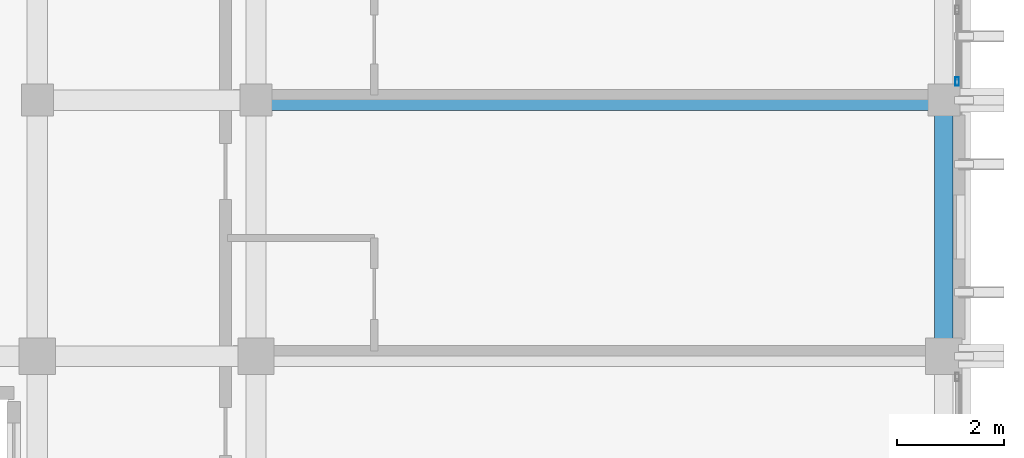
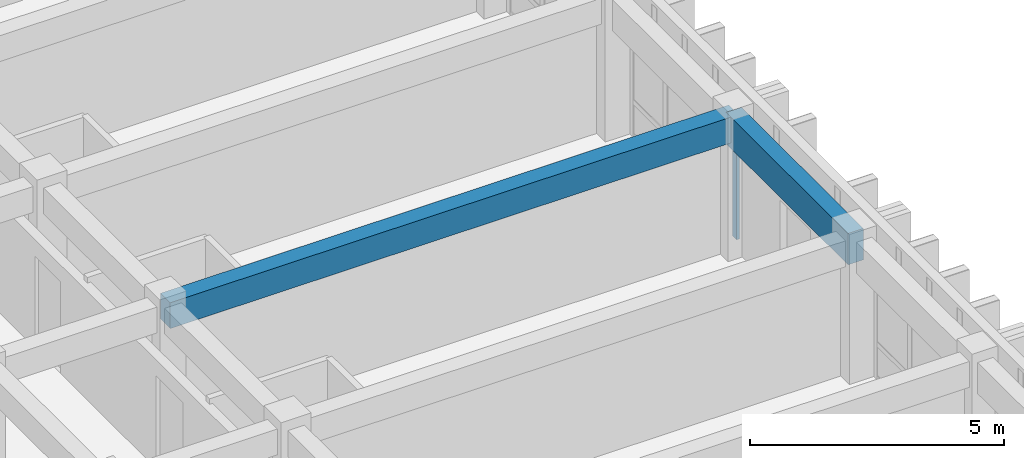
# One storey, part 17 of 53: 2 beams, 1 member, 1 element without a shape of its own.
"""IFC4 building model written with IfcOpenShell, lengths in metres."""

from ifc_helpers import new_model, si_unit, direction, frame, origin, origin_2d, place, context, subcontext, project, spatial, rectangle, hollow_rectangle, extrude, material, layer, layer_set, material_profile, profile_set, type_object, element, aggregate, save


model = new_model("IFC4")

# Units and contexts
model_context = context("Model", 3, precision=1e-05, world=origin(), true_north=direction((0.0, 1.0)))
body_context = subcontext(model_context, "Body", "Model", "MODEL_VIEW")
ifc_project = project(units=[si_unit("LENGTHUNIT", "METRE"), si_unit("AREAUNIT", "SQUARE_METRE"), si_unit("VOLUMEUNIT", "CUBIC_METRE"), si_unit("PLANEANGLEUNIT", "RADIAN"), si_unit("MASSUNIT", "GRAM", prefix="KILO")], contexts=[model_context])

# Site, building, storey
site_placement = place(None, origin())
site = spatial("IfcSite", under=ifc_project, at=site_placement, CompositionType="ELEMENT")
building_placement = place(site_placement, origin())
building = spatial("IfcBuilding", under=site, at=building_placement, Name="Nakhvara Creek Congress Hotel", CompositionType="ELEMENT")
storey_placement = place(building_placement, frame((0.0, 0.0, 35.39990234375)))
storey = spatial("IfcBuildingStorey", under=building, at=storey_placement, Name="L08", CompositionType="ELEMENT", Elevation=35.39990234375)

# Beams
ifc_material_1 = material(Name="Concrete C40/50", Category="concrete")
ifc_material_profile_1 = material_profile(ifc_material_1, rectangle(XDim=0.3798828125, YDim=0.6201171875, at=origin_2d()), Name="RC-BM 380x620", Category="LoadBearing")
ifc_profile_set_1 = profile_set([ifc_material_profile_1], Name="Concrete C40/50")
beam_type_1 = type_object("IfcBeamType", Name="BM-RC-380X620", PredefinedType="BEAM", material=ifc_profile_set_1)
beam_1_placement = place(storey_placement, frame((166.449951171875, 81.60009765625, 3.050048828125), z_axis=(1.0, 0.0, 0.0), x_axis=(0.0, 1.0, 0.0)))
element("IfcBeam", 1, at=beam_1_placement, inside=storey, type_object=beam_type_1, Name="Beam B10-L08-2528", PredefinedType="BEAM", context=body_context, shape_type="SweptSolid", body=[
    extrude(rectangle(XDim=0.3798828125, YDim=0.6201171875, at=origin_2d()), origin(), (0.0, 0.0, 1.0), 12.900146484375),
])
ifc_material_profile_2 = material_profile(ifc_material_1, rectangle(XDim=0.35009765625, YDim=0.75, at=origin_2d()), Name="RC-SPANDREL 350x750", Category="LoadBearing")
ifc_profile_set_2 = profile_set([ifc_material_profile_2], Name="Concrete C40/50")
beam_type_2 = type_object("IfcBeamType", Name="BM-SPN-350X750", PredefinedType="SPANDREL", material=ifc_profile_set_2)
beam_2_placement = place(storey_placement, frame((179.35009765625, 76.800048828125, 2.985107421875), z_axis=(0.0, 1.0, 0.0), x_axis=(-1.0, 0.0, 0.0)))
element("IfcBeam", 2, at=beam_2_placement, inside=storey, type_object=beam_type_2, Name="Beam SP1-L08-2501", PredefinedType="SPANDREL", context=body_context, shape_type="SweptSolid", body=[
    extrude(rectangle(XDim=0.35009765625, YDim=0.75, at=origin_2d()), origin(), (0.0, 0.0, 1.0), 4.800048828125),
])

# Curtain wall, member
ifc_material_2 = material(Name="Bronze-anodised aluminium AW-6063-T6 and double-silver low-E glass", Category="aluminium")
ifc_layer = layer(ifc_material_2, 0.199951171875)
ifc_layer_set = layer_set([ifc_layer], Name="Bronze-anodised aluminium AW-6063-T6 and double-silver low-E glass")
curtain_wall_type = type_object("IfcCurtainWallType", Name="CW-HTL-UNIT", PredefinedType="USERDEFINED", material=ifc_layer_set)
curtain_wall_placement = place(storey_placement, origin())
curtain_wall = element("IfcCurtainWall", 3, at=curtain_wall_placement, inside=storey, type_object=curtain_wall_type, Name="Curtain Wall CW283", ObjectType="UNITISED", PredefinedType="USERDEFINED")
ifc_material_3 = material(Name="Bronze-anodised aluminium AW-6063-T6", Category="aluminium")
ifc_material_profile_3 = material_profile(ifc_material_3, hollow_rectangle(XDim=0.06494140625, YDim=0.159912109375, WallThickness=0.00390625, at=origin_2d()), Name="ALU-MULL 65x160x4", Category="LoadBearing")
ifc_profile_set_3 = profile_set([ifc_material_profile_3], Name="Bronze-anodised aluminium AW-6063-T6")
member_type = type_object("IfcMemberType", Name="CW-MULL-160", PredefinedType="MULLION", material=ifc_profile_set_3)
member_placement = place(storey_placement, frame((179.60009765625, 81.947509765625, 0.0), z_axis=(0.0, 0.0, 1.0), x_axis=(1.0, 0.0, 0.0)))
member = element("IfcMember", 4, at=member_placement, type_object=member_type, Name="CW283 mullion 4", PredefinedType="MULLION", context=body_context, shape_type="SweptSolid", body=[
    extrude(hollow_rectangle(XDim=0.06494140625, YDim=0.159912109375, WallThickness=0.00390625, at=origin_2d()), origin(), (0.0, 0.0, 1.0), 2.60205078125),
])
aggregate(curtain_wall, [member])

save(model, "model.ifc")
